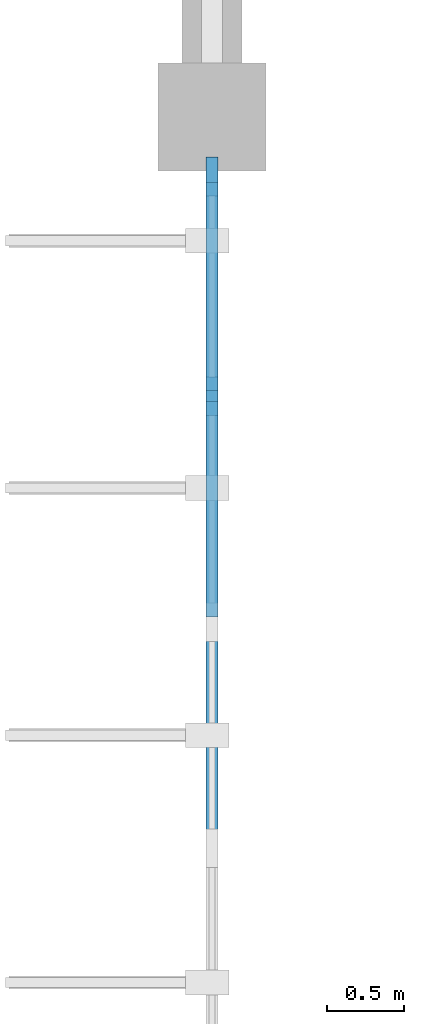
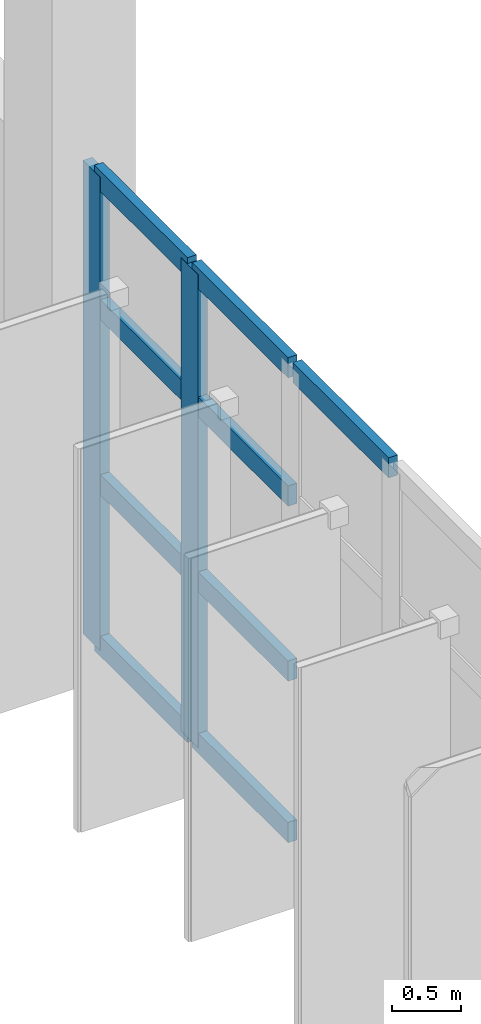
# One storey, part 11 of 66: 11 members, 1 element without a shape of its own.
"""IFC4 building model written with IfcOpenShell, lengths in metres."""

import ifcopenshell
import ifcopenshell.guid

model = None  # the IFC model being written
_history = None  # IfcOwnerHistory: only IFC2X3 demands one
_inside = {}  # id of a spatial element -> (the spatial element, [elements in it])
_under = {}  # id of a project, library or spatial element -> (it, [spatial elements below it])
_declared = {}  # id of a project -> (the project, [libraries it declares])
_typed = {}  # id of a type object -> (the type object, [elements of that type])
_made_of = {}  # id of a material, layer set ... -> (it, [elements and type objects made of it])


def new_model(schema):
    """Start an empty IFC model of exactly this schema.

    Asked for "IFC4X3", IfcOpenShell would pick the latest addendum, in which some entities
    have other attributes; the version numbers below select the first issue.
    IFC2X3 requires an IfcOwnerHistory on every rooted entity: one is made here for all.
    """
    global model, _history
    if schema == "IFC4X3":
        model = ifcopenshell.file(schema_version=(4, 3, 0, 0))
    else:
        model = ifcopenshell.file(schema=schema)
    _inside.clear()
    _under.clear()
    _declared.clear()
    _typed.clear()
    _made_of.clear()
    _history = None
    if model.schema == "IFC2X3":
        org = make("IfcOrganization", Name="unknown")
        user = make(
            "IfcPersonAndOrganization",
            ThePerson=make("IfcPerson", FamilyName="unknown"),
            TheOrganization=org,
        )
        app = make(
            "IfcApplication",
            ApplicationDeveloper=org,
            Version="unknown",
            ApplicationFullName="unknown",
            ApplicationIdentifier="unknown",
        )
        _history = make(
            "IfcOwnerHistory",
            OwningUser=user,
            OwningApplication=app,
            ChangeAction="ADDED",
            CreationDate=0,
        )
    return model


def make(cls, **values):
    """One entity of the class cls with the attributes given. An attribute that is None is left unset."""
    return model.create_entity(
        cls, **{name: value for name, value in values.items() if value is not None}
    )


def rooted(cls, **values):
    """An entity with a GlobalId (a new one), such as an element, a storey or a relation."""
    return make(cls, GlobalId=ifcopenshell.guid.new(), OwnerHistory=_history, **values)


def si_unit(unit_type, name, prefix=None):
    """IfcSIUnit, for example si_unit("LENGTHUNIT", "METRE", prefix="MILLI")."""
    return make("IfcSIUnit", UnitType=unit_type, Prefix=prefix, Name=name)


def assignment(units):
    """IfcUnitAssignment: the units of a project."""
    return None if units is None else make("IfcUnitAssignment", Units=units)


def point(xyz):
    """IfcCartesianPoint."""
    return None if xyz is None else make("IfcCartesianPoint", Coordinates=xyz)


def direction(xyz):
    """IfcDirection."""
    return None if xyz is None else make("IfcDirection", DirectionRatios=xyz)


def frame(location, z_axis=None, x_axis=None):
    """IfcAxis2Placement3D, a coordinate frame: its origin and axes. An axis left out is left unset."""
    return make(
        "IfcAxis2Placement3D",
        Location=point(location),
        Axis=direction(z_axis),
        RefDirection=direction(x_axis),
    )


def frame_2d(location, x_axis=None):
    """IfcAxis2Placement2D, a coordinate frame in the plane: its origin and x axis."""
    return make(
        "IfcAxis2Placement2D", Location=point(location), RefDirection=direction(x_axis)
    )


def origin():
    """The frame at (0, 0, 0) with its axes left unset."""
    return frame((0.0, 0.0, 0.0))


def origin_2d():
    """The frame at (0, 0) in the plane with its x axis left unset."""
    return frame_2d((0.0, 0.0))


def place(relative_to, where):
    """IfcLocalPlacement: puts the frame where relative to a parent placement (None: the world)."""
    return make(
        "IfcLocalPlacement", PlacementRelTo=relative_to, RelativePlacement=where
    )


def context(
    kind, dimensions, precision=None, world=None, true_north=None, identifier=None
):
    """IfcGeometricRepresentationContext, for example the 3D "Model" context."""
    return make(
        "IfcGeometricRepresentationContext",
        ContextIdentifier=identifier,
        ContextType=kind,
        CoordinateSpaceDimension=dimensions,
        Precision=precision,
        WorldCoordinateSystem=world,
        TrueNorth=true_north,
    )


def subcontext(parent, identifier, kind, view, scale=None):
    """IfcGeometricRepresentationSubContext, for example "Body" below "Model"."""
    return make(
        "IfcGeometricRepresentationSubContext",
        ContextIdentifier=identifier,
        ContextType=kind,
        ParentContext=parent,
        TargetScale=scale,
        TargetView=view,
    )


def project(units=None, contexts=None):
    """IfcProject with its units and contexts."""
    return rooted(
        "IfcProject",
        Name="project",
        RepresentationContexts=contexts,
        UnitsInContext=assignment(units),
    )


def spatial(cls, under=None, at=None, **own):
    """A site, building, storey or space (cls), placed at a placement, below another one or the project."""
    s = rooted(cls, ObjectPlacement=at, **own)
    if under is not None:
        _under.setdefault(under.id(), (under, []))[1].append(s)
    return s


def profile(cls, at=None, kind="AREA", **sizes):
    """A parametric profile (cls). Its sizes go by their IFC names, for example OverallWidth=200.0."""
    return make(cls, ProfileType=kind, Position=at, **sizes)


def rectangle(**sizes):
    """IfcRectangleProfileDef."""
    return profile("IfcRectangleProfileDef", **sizes)


def extrude(swept, where, along, depth):
    """IfcExtrudedAreaSolid: the profile swept, set in the frame where, extruded along a direction by depth."""
    return make(
        "IfcExtrudedAreaSolid",
        SweptArea=swept,
        Position=where,
        ExtrudedDirection=direction(along),
        Depth=depth,
    )


def shape(context_of_items, identifier, shape_type, items):
    """IfcShapeRepresentation: the items that make up one representation, for example the "Body"."""
    return make(
        "IfcShapeRepresentation",
        ContextOfItems=context_of_items,
        RepresentationIdentifier=identifier,
        RepresentationType=shape_type,
        Items=items,
    )


def material(Name=None, Category=None):
    """IfcMaterial."""
    return make("IfcMaterial", Name=Name, Category=Category)


def layer(
    of_material, thickness, ventilated=None, Name=None, Category=None, Priority=None
):
    """IfcMaterialLayer: one layer of a wall or slab, of a material (None: an air gap)."""
    return make(
        "IfcMaterialLayer",
        Material=of_material,
        LayerThickness=thickness,
        IsVentilated=ventilated,
        Name=Name,
        Category=Category,
        Priority=Priority,
    )


def layer_set(layers, Name=None):
    """IfcMaterialLayerSet."""
    return make("IfcMaterialLayerSet", MaterialLayers=layers, LayerSetName=Name)


def material_profile(
    of_material, cross_section, Name=None, Category=None, Priority=None
):
    """IfcMaterialProfile: a cross section and its material."""
    return make(
        "IfcMaterialProfile",
        Name=Name,
        Material=of_material,
        Profile=cross_section,
        Priority=Priority,
        Category=Category,
    )


def profile_set(profiles, Name=None, composite=None):
    """IfcMaterialProfileSet."""
    return make(
        "IfcMaterialProfileSet",
        Name=Name,
        MaterialProfiles=profiles,
        CompositeProfile=composite,
    )


def made_of(thing, what):
    """Note that an element or type object is made of a material, layer set ...; save() writes the relation."""
    if what is not None:
        _made_of.setdefault(what.id(), (what, []))[1].append(thing)
    return thing


def type_object(cls, material=None, **own):
    """A type object (cls), such as IfcWallType, which elements share."""
    return made_of(rooted(cls, **own), material)


def element(
    cls,
    number,
    at=None,
    inside=None,
    cuts=None,
    type_object=None,
    material=None,
    context=None,
    identifier="Body",
    shape_type=None,
    held_by="IfcProductDefinitionShape",
    body=None,
    shapes=None,
    **own,
):
    """One element of the class cls, such as IfcWall. Its Tag is "e" and its number.

    at: its placement. inside: the storey or other place that contains it. cuts: it is an
    opening in that element (IfcRelVoidsElement). A single representation is given by context,
    identifier, shape_type and body (its items); several are given by shapes. held_by: the class
    of the entity that holds the representations. save() writes the other relations.
    """
    e = rooted(cls, Tag="e%d" % number, ObjectPlacement=at, **own)
    if body is not None:
        shapes = [shape(context, identifier, shape_type, body)]
    if shapes is not None:
        e.Representation = make(held_by, Representations=shapes)
    if inside is not None:
        _inside.setdefault(inside.id(), (inside, []))[1].append(e)
    if cuts is not None:
        rooted(
            "IfcRelVoidsElement", RelatingBuildingElement=cuts, RelatedOpeningElement=e
        )
    if type_object is not None:
        _typed.setdefault(type_object.id(), (type_object, []))[1].append(e)
    return made_of(e, material)


def aggregate(whole, parts):
    """IfcRelAggregates: a whole, such as a stair, and the parts it consists of."""
    return rooted("IfcRelAggregates", RelatingObject=whole, RelatedObjects=parts)


def save(model, path):
    """Write the relations noted so far, then the file.

    IfcRelAggregates (storeys below a building ...), IfcRelContainedInSpatialStructure (elements
    in a storey), IfcRelDefinesByType, IfcRelAssociatesMaterial and IfcRelDeclares: one each for
    every whole, place, type object, material and project.
    """
    for whole, parts in _under.values():
        aggregate(whole, parts)
    for where, things in _inside.values():
        rooted(
            "IfcRelContainedInSpatialStructure",
            RelatedElements=things,
            RelatingStructure=where,
        )
    for kind, things in _typed.values():
        rooted("IfcRelDefinesByType", RelatedObjects=things, RelatingType=kind)
    for what, things in _made_of.values():
        rooted("IfcRelAssociatesMaterial", RelatedObjects=things, RelatingMaterial=what)
    for by, libraries in _declared.values():
        rooted("IfcRelDeclares", RelatingContext=by, RelatedDefinitions=libraries)
    model.write(path)


model = new_model("IFC4")

# Units and contexts
model_context = context("Model", 3, precision=1e-05, world=origin(), true_north=direction((0.0, 1.0)))
body_context = subcontext(model_context, "Body", "Model", "MODEL_VIEW")
ifc_project = project(units=[si_unit("LENGTHUNIT", "METRE"), si_unit("AREAUNIT", "SQUARE_METRE"), si_unit("VOLUMEUNIT", "CUBIC_METRE"), si_unit("PLANEANGLEUNIT", "RADIAN"), si_unit("MASSUNIT", "GRAM", prefix="KILO")], contexts=[model_context])

# Site, building, storey
site_placement = place(None, origin())
site = spatial("IfcSite", under=ifc_project, at=site_placement, CompositionType="ELEMENT")
building_placement = place(site_placement, origin())
building = spatial("IfcBuilding", under=site, at=building_placement, Name="Drelvana Railside Aquatics Centre", CompositionType="ELEMENT")
storey_placement = place(building_placement, frame((0.0, 0.0, 10.199951171875)))
storey = spatial("IfcBuildingStorey", under=building, at=storey_placement, Name="L02", CompositionType="ELEMENT", Elevation=10.199951171875)

# Curtain wall, members
ifc_material_1 = material(Name="Bronze-anodised aluminium curtain wall", Category="aluminium")
ifc_layer = layer(ifc_material_1, 0.219970703125, Name="Bronze-anodised aluminium curtain wall")
ifc_layer_set = layer_set([ifc_layer], Name="Bronze-anodised aluminium curtain wall")
curtain_wall_type = type_object("IfcCurtainWallType", Name="CW-Z3-HIGH", PredefinedType="NOTDEFINED", material=ifc_layer_set)
curtain_wall_placement = place(storey_placement, origin())
curtain_wall = element("IfcCurtainWall", 1, at=curtain_wall_placement, inside=storey, type_object=curtain_wall_type, Name="Curtain wall CW-03-052", PredefinedType="NOTDEFINED")
ifc_material_2 = material(Name="Bronze-anodised aluminium 6063-T6", Category="aluminium")
ifc_material_profile_1 = material_profile(ifc_material_2, rectangle(XDim=0.080078125, YDim=0.25, at=origin_2d()), Name="ALU-M 80x250")
ifc_profile_set_1 = profile_set([ifc_material_profile_1], Name="Bronze-anodised aluminium 6063-T6")
member_type_1 = type_object("IfcMemberType", Name="CW-Z3-HIGH-MUL", PredefinedType="MULLION", material=ifc_profile_set_1)
member_1_placement = place(storey_placement, frame((0.0, 62.193603515625, -0.005859375), z_axis=(0.0, 0.0, 1.0), x_axis=(-1.0, 0.0, 0.0)))
member_1 = element("IfcMember", 2, at=member_1_placement, type_object=member_type_1, Name="CW-03 mullion 5", PredefinedType="MULLION", context=body_context, shape_type="SweptSolid", body=[
    extrude(rectangle(XDim=0.080078125, YDim=0.25, at=origin_2d()), origin(), (0.0, 0.0, 1.0), 4.19580078125),
])
member_2_placement = place(storey_placement, frame((0.0, 63.615966796875, -0.005859375), z_axis=(0.0, 0.0, 1.0), x_axis=(-1.0, 0.0, 0.0)))
member_2 = element("IfcMember", 3, at=member_2_placement, type_object=member_type_1, Name="CW-03 mullion 6", PredefinedType="MULLION", context=body_context, shape_type="SweptSolid", body=[
    extrude(rectangle(XDim=0.080078125, YDim=0.25, at=origin_2d()), origin(), (0.0, 0.0, 1.0), 4.19580078125),
])
ifc_material_profile_2 = material_profile(ifc_material_2, rectangle(XDim=0.179931640625, YDim=0.074951171875, at=origin_2d()), Name="ALU-T 75x180")
ifc_profile_set_2 = profile_set([ifc_material_profile_2], Name="Bronze-anodised aluminium 6063-T6")
member_type_2 = type_object("IfcMemberType", Name="CW-Z3-HIGH-TRN", PredefinedType="USERDEFINED", material=ifc_profile_set_2)
member_3_placement = place(storey_placement, frame((0.0, 59.3037109375, 4.152587890625), z_axis=(0.0, 1.0, 0.0), x_axis=(0.0, 0.0, 1.0)))
member_3 = element("IfcMember", 4, at=member_3_placement, type_object=member_type_2, Name="CW-03 transom 3.4", ObjectType="TRANSOM", PredefinedType="USERDEFINED", context=body_context, shape_type="SweptSolid", body=[
    extrude(rectangle(XDim=0.179931640625, YDim=0.074951171875, at=origin_2d()), origin(), (0.0, 0.0, 1.0), 1.392578125),
])
member_4_placement = place(storey_placement, frame((0.0, 60.76611328125, 0.031494140625), z_axis=(0.0, 1.0, 0.0), x_axis=(0.0, 0.0, 1.0)))
member_4 = element("IfcMember", 5, at=member_4_placement, type_object=member_type_2, Name="CW-03 transom 4.1", ObjectType="TRANSOM", PredefinedType="USERDEFINED", context=body_context, shape_type="SweptSolid", body=[
    extrude(rectangle(XDim=0.179931640625, YDim=0.074951171875, at=origin_2d()), origin(), (0.0, 0.0, 1.0), 1.392578125),
])
member_5_placement = place(storey_placement, frame((0.0, 60.76611328125, 1.463134765625), z_axis=(0.0, 1.0, 0.0), x_axis=(0.0, 0.0, 1.0)))
member_5 = element("IfcMember", 6, at=member_5_placement, type_object=member_type_2, Name="CW-03 transom 4.2", ObjectType="TRANSOM", PredefinedType="USERDEFINED", context=body_context, shape_type="SweptSolid", body=[
    extrude(rectangle(XDim=0.179931640625, YDim=0.074951171875, at=origin_2d()), origin(), (0.0, 0.0, 1.0), 1.392578125),
])
member_6_placement = place(storey_placement, frame((0.0, 60.76611328125, 3.01513671875), z_axis=(0.0, 1.0, 0.0), x_axis=(0.0, 0.0, 1.0)))
member_6 = element("IfcMember", 7, at=member_6_placement, type_object=member_type_2, Name="CW-03 transom 4.3", ObjectType="TRANSOM", PredefinedType="USERDEFINED", context=body_context, shape_type="SweptSolid", body=[
    extrude(rectangle(XDim=0.179931640625, YDim=0.074951171875, at=origin_2d()), origin(), (0.0, 0.0, 1.0), 1.392578125),
])
member_7_placement = place(storey_placement, frame((0.0, 60.76611328125, 4.152587890625), z_axis=(0.0, 1.0, 0.0), x_axis=(0.0, 0.0, 1.0)))
member_7 = element("IfcMember", 8, at=member_7_placement, type_object=member_type_2, Name="CW-03 transom 4.4", ObjectType="TRANSOM", PredefinedType="USERDEFINED", context=body_context, shape_type="SweptSolid", body=[
    extrude(rectangle(XDim=0.179931640625, YDim=0.074951171875, at=origin_2d()), origin(), (0.0, 0.0, 1.0), 1.392578125),
])
member_8_placement = place(storey_placement, frame((0.0, 62.228515625, 0.031494140625), z_axis=(0.0, 1.0, 0.0), x_axis=(0.0, 0.0, 1.0)))
member_8 = element("IfcMember", 9, at=member_8_placement, type_object=member_type_2, Name="CW-03 transom 5.1", ObjectType="TRANSOM", PredefinedType="USERDEFINED", context=body_context, shape_type="SweptSolid", body=[
    extrude(rectangle(XDim=0.179931640625, YDim=0.074951171875, at=origin_2d()), origin(), (0.0, 0.0, 1.0), 1.3525390625),
])
member_9_placement = place(storey_placement, frame((0.0, 62.228515625, 1.463134765625), z_axis=(0.0, 1.0, 0.0), x_axis=(0.0, 0.0, 1.0)))
member_9 = element("IfcMember", 10, at=member_9_placement, type_object=member_type_2, Name="CW-03 transom 5.2", ObjectType="TRANSOM", PredefinedType="USERDEFINED", context=body_context, shape_type="SweptSolid", body=[
    extrude(rectangle(XDim=0.179931640625, YDim=0.074951171875, at=origin_2d()), origin(), (0.0, 0.0, 1.0), 1.3525390625),
])
member_10_placement = place(storey_placement, frame((0.0, 62.228515625, 3.01513671875), z_axis=(0.0, 1.0, 0.0), x_axis=(0.0, 0.0, 1.0)))
member_10 = element("IfcMember", 11, at=member_10_placement, type_object=member_type_2, Name="CW-03 transom 5.3", ObjectType="TRANSOM", PredefinedType="USERDEFINED", context=body_context, shape_type="SweptSolid", body=[
    extrude(rectangle(XDim=0.179931640625, YDim=0.074951171875, at=origin_2d()), origin(), (0.0, 0.0, 1.0), 1.3525390625),
])
member_11_placement = place(storey_placement, frame((0.0, 62.228515625, 4.152587890625), z_axis=(0.0, 1.0, 0.0), x_axis=(0.0, 0.0, 1.0)))
member_11 = element("IfcMember", 12, at=member_11_placement, type_object=member_type_2, Name="CW-03 transom 5.4", ObjectType="TRANSOM", PredefinedType="USERDEFINED", context=body_context, shape_type="SweptSolid", body=[
    extrude(rectangle(XDim=0.179931640625, YDim=0.074951171875, at=origin_2d()), origin(), (0.0, 0.0, 1.0), 1.3525390625),
])
aggregate(curtain_wall, [member_1, member_2, member_3, member_4, member_5, member_6, member_7, member_8, member_9, member_10, member_11])

save(model, "model.ifc")
